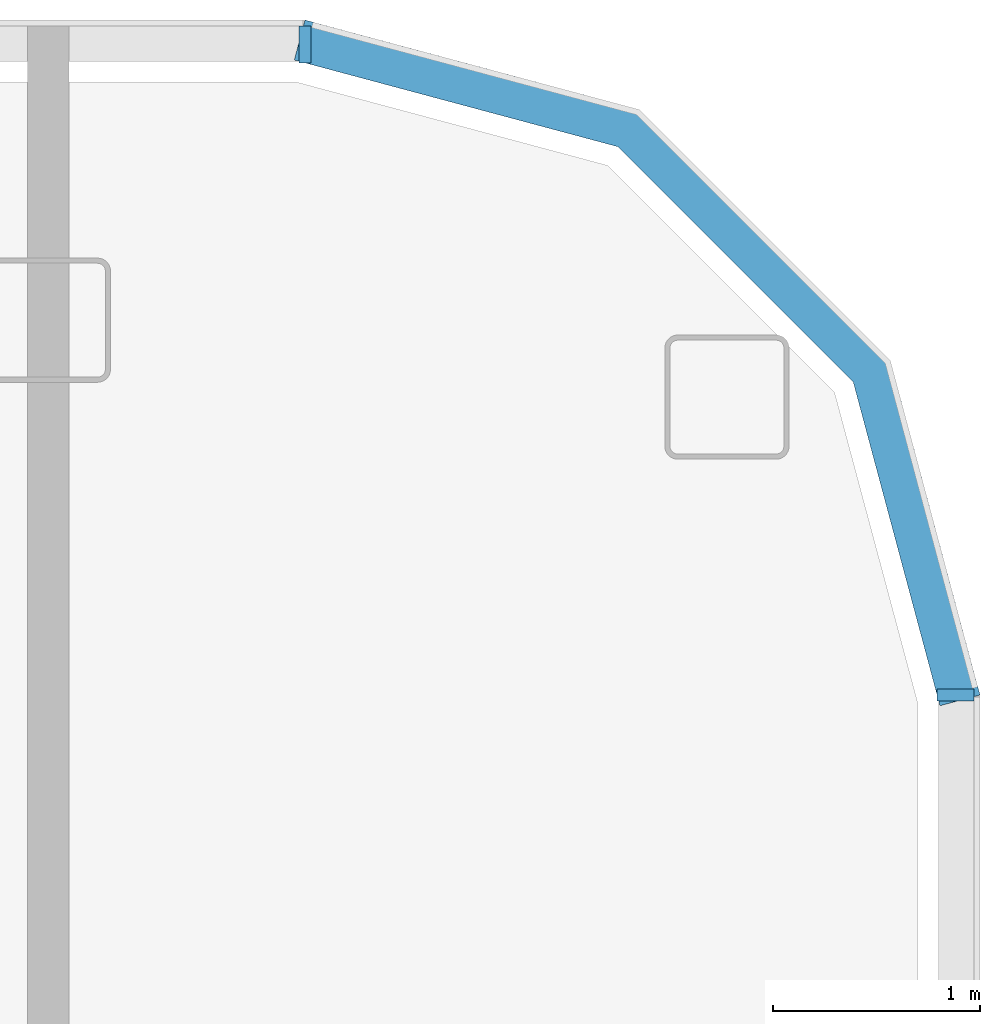
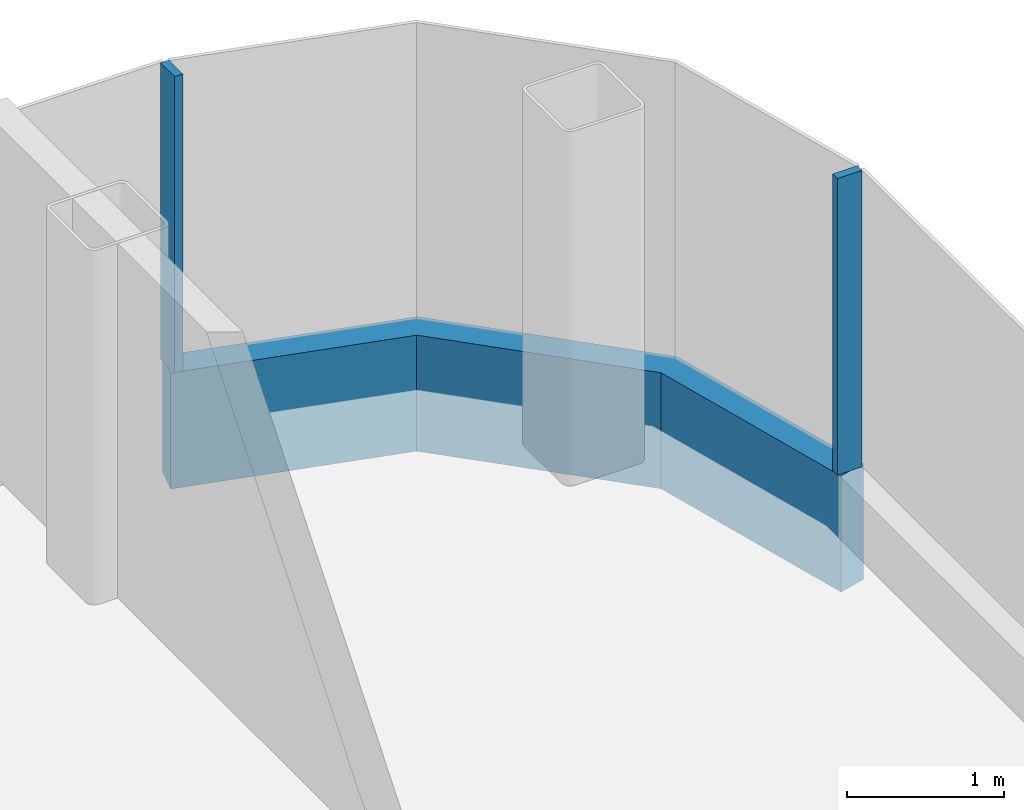
# One storey, part 11 of 26: 3 members, 3 elements without a shape of their own.
"""IFC4 building model written with IfcOpenShell, lengths in metres."""

from ifc_helpers import new_model, si_unit, direction, frame, origin, origin_2d, place, context, subcontext, project, spatial, polyline, rectangle, outline, extrude, material, layer, layer_set, material_profile, profile_set, type_object, element, aggregate, save


model = new_model("IFC4")

# Units and contexts
model_context = context("Model", 3, precision=1e-05, world=origin(), true_north=direction((0.0, 1.0)))
body_context = subcontext(model_context, "Body", "Model", "MODEL_VIEW")
ifc_project = project(units=[si_unit("LENGTHUNIT", "METRE"), si_unit("AREAUNIT", "SQUARE_METRE"), si_unit("VOLUMEUNIT", "CUBIC_METRE"), si_unit("PLANEANGLEUNIT", "RADIAN"), si_unit("MASSUNIT", "GRAM", prefix="KILO")], contexts=[model_context])

# Site, building, storey
site_placement = place(None, origin())
site = spatial("IfcSite", under=ifc_project, at=site_placement, CompositionType="ELEMENT")
building_placement = place(site_placement, origin())
building = spatial("IfcBuilding", under=site, at=building_placement, Name="Hakoniwa Tower and Hamabe Station Hall", CompositionType="ELEMENT")
storey_placement = place(building_placement, frame((0.0, 0.0, 212.199951171875)))
storey = spatial("IfcBuildingStorey", under=building, at=storey_placement, Name="L60", CompositionType="ELEMENT", Elevation=212.199951171875)

# Curtain wall, member
ifc_material_1 = material(Name="Dark low-e laminated glass", Category="glass")
ifc_layer = layer(ifc_material_1, 0.199951171875)
ifc_layer_set = layer_set([ifc_layer], Name="CW-1 UNITISED GUEST")
curtain_wall_type = type_object("IfcCurtainWallType", Name="CW-1 UNITISED GUEST", PredefinedType="NOTDEFINED", material=ifc_layer_set)
curtain_wall_1_placement = place(storey_placement, origin())
curtain_wall_1 = element("IfcCurtainWall", 1, at=curtain_wall_1_placement, inside=storey, type_object=curtain_wall_type, Name="CW-1 curtain wall", PredefinedType="NOTDEFINED")
ifc_material_2 = material(Name="Aluminium 6063-T5 black anodised", Category="aluminium")
ifc_material_profile_1 = material_profile(ifc_material_2, rectangle(XDim=0.199951171875, YDim=0.89990234375, at=origin_2d()), Name="CW SLAB-EDGE BAND 900X200")
ifc_profile_set_1 = profile_set([ifc_material_profile_1], Name="Aluminium 6063-T5 black anodised")
member_type_1 = type_object("IfcMemberType", Name="CW SLAB-EDGE BAND 900X200", PredefinedType="USERDEFINED", material=ifc_profile_set_1)
member_1_placement = place(storey_placement, frame((0.0, 0.0, -0.550048828125)))
member_1 = element("IfcMember", 2, at=member_1_placement, type_object=member_type_1, Name="CW-1 transom", ObjectType="TRANSOM", PredefinedType="USERDEFINED", context=body_context, shape_type="SweptSolid", body=[
    extrude(outline(polyline([(38.10009765625, 17.28955078125), (37.6669921875, 18.9052734375), (36.455322265625, 20.116943359375), (34.839599609375, 20.550048828125), (34.787841796875, 20.35693359375), (36.351806640625, 19.937744140625), (37.48779296875, 18.8017578125), (37.90673828125, 17.23779296875), (38.10009765625, 17.28955078125)])), origin(), (0.0, 0.0, 1.0), 0.900146484375),
])
aggregate(curtain_wall_1, [member_1])

curtain_wall_2_placement = place(storey_placement, origin())
curtain_wall_2 = element("IfcCurtainWall", 3, at=curtain_wall_2_placement, inside=storey, type_object=curtain_wall_type, Name="CW-1 curtain wall", PredefinedType="NOTDEFINED")
ifc_material_3 = material(Name="Aluminium 6063-T5 black anodised", Category="aluminium")
ifc_material_profile_2 = material_profile(ifc_material_3, rectangle(XDim=0.06005859375, YDim=0.179931640625, at=origin_2d()), Name="CW-1 MULLION 60X180")
ifc_profile_set_2 = profile_set([ifc_material_profile_2], Name="Aluminium 6063-T5 black anodised")
member_type_2 = type_object("IfcMemberType", Name="CW-1 MULLION 60X180", PredefinedType="MULLION", material=ifc_profile_set_2)
member_2_placement = place(storey_placement, frame((37.98193359375, 17.28955078125, 0.35009765625), z_axis=(0.0, 0.0, 1.0), x_axis=(0.0, 1.0, 0.0)))
member_2 = element("IfcMember", 4, at=member_2_placement, type_object=member_type_2, Name="CW-1 mullion", PredefinedType="MULLION", context=body_context, shape_type="SweptSolid", body=[
    extrude(rectangle(XDim=0.06005859375, YDim=0.179931640625, at=origin_2d()), origin(), (0.0, 0.0, 1.0), 2.300048828125),
])
aggregate(curtain_wall_2, [member_2])

curtain_wall_3_placement = place(storey_placement, origin())
curtain_wall_3 = element("IfcCurtainWall", 5, at=curtain_wall_3_placement, inside=storey, type_object=curtain_wall_type, Name="CW-1 curtain wall", PredefinedType="NOTDEFINED")
member_3_placement = place(storey_placement, frame((34.839599609375, 20.431884765625, 0.35009765625), z_axis=(0.0, 0.0, 1.0), x_axis=(-1.0, 0.0, 0.0)))
member_3 = element("IfcMember", 6, at=member_3_placement, type_object=member_type_2, Name="CW-1 mullion", PredefinedType="MULLION", context=body_context, shape_type="SweptSolid", body=[
    extrude(rectangle(XDim=0.06005859375, YDim=0.179931640625, at=origin_2d()), origin(), (0.0, 0.0, 1.0), 2.300048828125),
])
aggregate(curtain_wall_3, [member_3])

save(model, "model.ifc")
